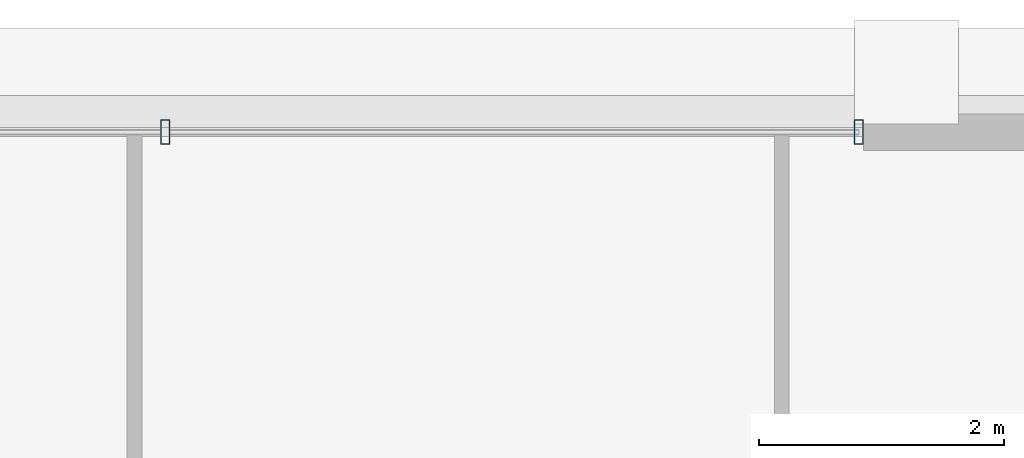
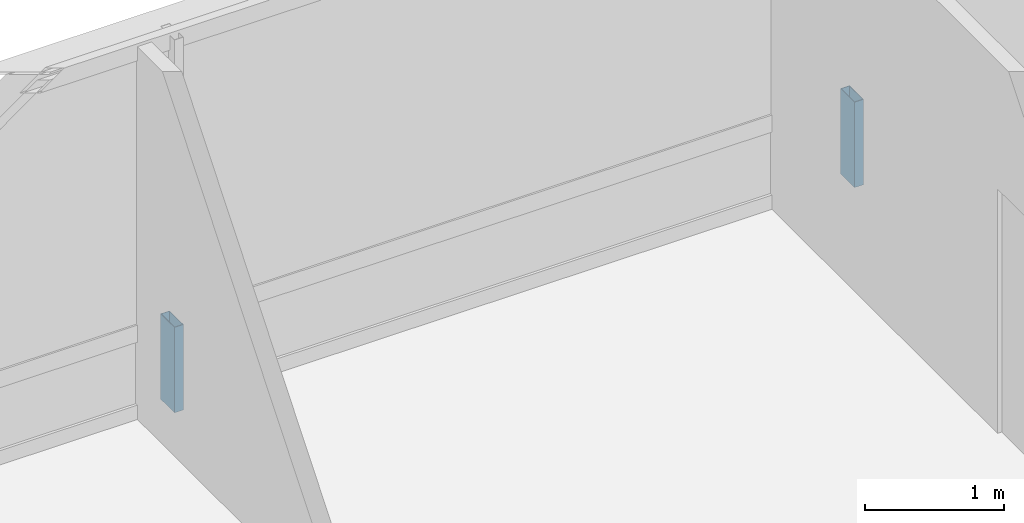
# One storey, part 28 of 35: 2 members, 1 element without a shape of its own.
"""IFC4 building model written with IfcOpenShell, lengths in metres."""

import ifcopenshell
import ifcopenshell.guid

model = None  # the IFC model being written
_history = None  # IfcOwnerHistory: only IFC2X3 demands one
_inside = {}  # id of a spatial element -> (the spatial element, [elements in it])
_under = {}  # id of a project, library or spatial element -> (it, [spatial elements below it])
_declared = {}  # id of a project -> (the project, [libraries it declares])
_typed = {}  # id of a type object -> (the type object, [elements of that type])
_made_of = {}  # id of a material, layer set ... -> (it, [elements and type objects made of it])


def new_model(schema):
    """Start an empty IFC model of exactly this schema.

    Asked for "IFC4X3", IfcOpenShell would pick the latest addendum, in which some entities
    have other attributes; the version numbers below select the first issue.
    IFC2X3 requires an IfcOwnerHistory on every rooted entity: one is made here for all.
    """
    global model, _history
    if schema == "IFC4X3":
        model = ifcopenshell.file(schema_version=(4, 3, 0, 0))
    else:
        model = ifcopenshell.file(schema=schema)
    _inside.clear()
    _under.clear()
    _declared.clear()
    _typed.clear()
    _made_of.clear()
    _history = None
    if model.schema == "IFC2X3":
        org = make("IfcOrganization", Name="unknown")
        user = make(
            "IfcPersonAndOrganization",
            ThePerson=make("IfcPerson", FamilyName="unknown"),
            TheOrganization=org,
        )
        app = make(
            "IfcApplication",
            ApplicationDeveloper=org,
            Version="unknown",
            ApplicationFullName="unknown",
            ApplicationIdentifier="unknown",
        )
        _history = make(
            "IfcOwnerHistory",
            OwningUser=user,
            OwningApplication=app,
            ChangeAction="ADDED",
            CreationDate=0,
        )
    return model


def make(cls, **values):
    """One entity of the class cls with the attributes given. An attribute that is None is left unset."""
    return model.create_entity(
        cls, **{name: value for name, value in values.items() if value is not None}
    )


def rooted(cls, **values):
    """An entity with a GlobalId (a new one), such as an element, a storey or a relation."""
    return make(cls, GlobalId=ifcopenshell.guid.new(), OwnerHistory=_history, **values)


def si_unit(unit_type, name, prefix=None):
    """IfcSIUnit, for example si_unit("LENGTHUNIT", "METRE", prefix="MILLI")."""
    return make("IfcSIUnit", UnitType=unit_type, Prefix=prefix, Name=name)


def assignment(units):
    """IfcUnitAssignment: the units of a project."""
    return None if units is None else make("IfcUnitAssignment", Units=units)


def point(xyz):
    """IfcCartesianPoint."""
    return None if xyz is None else make("IfcCartesianPoint", Coordinates=xyz)


def direction(xyz):
    """IfcDirection."""
    return None if xyz is None else make("IfcDirection", DirectionRatios=xyz)


def frame(location, z_axis=None, x_axis=None):
    """IfcAxis2Placement3D, a coordinate frame: its origin and axes. An axis left out is left unset."""
    return make(
        "IfcAxis2Placement3D",
        Location=point(location),
        Axis=direction(z_axis),
        RefDirection=direction(x_axis),
    )


def frame_2d(location, x_axis=None):
    """IfcAxis2Placement2D, a coordinate frame in the plane: its origin and x axis."""
    return make(
        "IfcAxis2Placement2D", Location=point(location), RefDirection=direction(x_axis)
    )


def origin():
    """The frame at (0, 0, 0) with its axes left unset."""
    return frame((0.0, 0.0, 0.0))


def origin_2d():
    """The frame at (0, 0) in the plane with its x axis left unset."""
    return frame_2d((0.0, 0.0))


def place(relative_to, where):
    """IfcLocalPlacement: puts the frame where relative to a parent placement (None: the world)."""
    return make(
        "IfcLocalPlacement", PlacementRelTo=relative_to, RelativePlacement=where
    )


def context(
    kind, dimensions, precision=None, world=None, true_north=None, identifier=None
):
    """IfcGeometricRepresentationContext, for example the 3D "Model" context."""
    return make(
        "IfcGeometricRepresentationContext",
        ContextIdentifier=identifier,
        ContextType=kind,
        CoordinateSpaceDimension=dimensions,
        Precision=precision,
        WorldCoordinateSystem=world,
        TrueNorth=true_north,
    )


def subcontext(parent, identifier, kind, view, scale=None):
    """IfcGeometricRepresentationSubContext, for example "Body" below "Model"."""
    return make(
        "IfcGeometricRepresentationSubContext",
        ContextIdentifier=identifier,
        ContextType=kind,
        ParentContext=parent,
        TargetScale=scale,
        TargetView=view,
    )


def project(units=None, contexts=None):
    """IfcProject with its units and contexts."""
    return rooted(
        "IfcProject",
        Name="project",
        RepresentationContexts=contexts,
        UnitsInContext=assignment(units),
    )


def spatial(cls, under=None, at=None, **own):
    """A site, building, storey or space (cls), placed at a placement, below another one or the project."""
    s = rooted(cls, ObjectPlacement=at, **own)
    if under is not None:
        _under.setdefault(under.id(), (under, []))[1].append(s)
    return s


def profile(cls, at=None, kind="AREA", **sizes):
    """A parametric profile (cls). Its sizes go by their IFC names, for example OverallWidth=200.0."""
    return make(cls, ProfileType=kind, Position=at, **sizes)


def hollow_rectangle(**sizes):
    """IfcRectangleHollowProfileDef."""
    return profile("IfcRectangleHollowProfileDef", **sizes)


def extrude(swept, where, along, depth):
    """IfcExtrudedAreaSolid: the profile swept, set in the frame where, extruded along a direction by depth."""
    return make(
        "IfcExtrudedAreaSolid",
        SweptArea=swept,
        Position=where,
        ExtrudedDirection=direction(along),
        Depth=depth,
    )


def shape(context_of_items, identifier, shape_type, items):
    """IfcShapeRepresentation: the items that make up one representation, for example the "Body"."""
    return make(
        "IfcShapeRepresentation",
        ContextOfItems=context_of_items,
        RepresentationIdentifier=identifier,
        RepresentationType=shape_type,
        Items=items,
    )


def source(mapping_origin, context_of_items, identifier, shape_type, items):
    """IfcRepresentationMap: a shape defined once, which mapped items show again and again."""
    return make(
        "IfcRepresentationMap",
        MappingOrigin=mapping_origin,
        MappedRepresentation=shape(context_of_items, identifier, shape_type, items),
    )


def transform(
    local_origin,
    x_axis=None,
    y_axis=None,
    z_axis=None,
    scale=None,
    scale2=None,
    scale3=None,
    uniform=True,
):
    """IfcCartesianTransformationOperator3D, or its non-uniform kind. x_axis, y_axis, z_axis: its Axis1, 2, 3."""
    if uniform:
        return make(
            "IfcCartesianTransformationOperator3D",
            Axis1=direction(x_axis),
            Axis2=direction(y_axis),
            LocalOrigin=point(local_origin),
            Scale=scale,
            Axis3=direction(z_axis),
        )
    return make(
        "IfcCartesianTransformationOperator3DnonUniform",
        Axis1=direction(x_axis),
        Axis2=direction(y_axis),
        LocalOrigin=point(local_origin),
        Scale=scale,
        Axis3=direction(z_axis),
        Scale2=scale2,
        Scale3=scale3,
    )


def mapped(mapping_source, mapping_target):
    """IfcMappedItem: shows the shape of a source again, moved by a transform."""
    return make(
        "IfcMappedItem", MappingSource=mapping_source, MappingTarget=mapping_target
    )


def material(Name=None, Category=None):
    """IfcMaterial."""
    return make("IfcMaterial", Name=Name, Category=Category)


def layer(
    of_material, thickness, ventilated=None, Name=None, Category=None, Priority=None
):
    """IfcMaterialLayer: one layer of a wall or slab, of a material (None: an air gap)."""
    return make(
        "IfcMaterialLayer",
        Material=of_material,
        LayerThickness=thickness,
        IsVentilated=ventilated,
        Name=Name,
        Category=Category,
        Priority=Priority,
    )


def layer_set(layers, Name=None):
    """IfcMaterialLayerSet."""
    return make("IfcMaterialLayerSet", MaterialLayers=layers, LayerSetName=Name)


def material_profile(
    of_material, cross_section, Name=None, Category=None, Priority=None
):
    """IfcMaterialProfile: a cross section and its material."""
    return make(
        "IfcMaterialProfile",
        Name=Name,
        Material=of_material,
        Profile=cross_section,
        Priority=Priority,
        Category=Category,
    )


def profile_set(profiles, Name=None, composite=None):
    """IfcMaterialProfileSet."""
    return make(
        "IfcMaterialProfileSet",
        Name=Name,
        MaterialProfiles=profiles,
        CompositeProfile=composite,
    )


def made_of(thing, what):
    """Note that an element or type object is made of a material, layer set ...; save() writes the relation."""
    if what is not None:
        _made_of.setdefault(what.id(), (what, []))[1].append(thing)
    return thing


def type_object(cls, material=None, **own):
    """A type object (cls), such as IfcWallType, which elements share."""
    return made_of(rooted(cls, **own), material)


def element(
    cls,
    number,
    at=None,
    inside=None,
    cuts=None,
    type_object=None,
    material=None,
    context=None,
    identifier="Body",
    shape_type=None,
    held_by="IfcProductDefinitionShape",
    body=None,
    shapes=None,
    **own,
):
    """One element of the class cls, such as IfcWall. Its Tag is "e" and its number.

    at: its placement. inside: the storey or other place that contains it. cuts: it is an
    opening in that element (IfcRelVoidsElement). A single representation is given by context,
    identifier, shape_type and body (its items); several are given by shapes. held_by: the class
    of the entity that holds the representations. save() writes the other relations.
    """
    e = rooted(cls, Tag="e%d" % number, ObjectPlacement=at, **own)
    if body is not None:
        shapes = [shape(context, identifier, shape_type, body)]
    if shapes is not None:
        e.Representation = make(held_by, Representations=shapes)
    if inside is not None:
        _inside.setdefault(inside.id(), (inside, []))[1].append(e)
    if cuts is not None:
        rooted(
            "IfcRelVoidsElement", RelatingBuildingElement=cuts, RelatedOpeningElement=e
        )
    if type_object is not None:
        _typed.setdefault(type_object.id(), (type_object, []))[1].append(e)
    return made_of(e, material)


def aggregate(whole, parts):
    """IfcRelAggregates: a whole, such as a stair, and the parts it consists of."""
    return rooted("IfcRelAggregates", RelatingObject=whole, RelatedObjects=parts)


def save(model, path):
    """Write the relations noted so far, then the file.

    IfcRelAggregates (storeys below a building ...), IfcRelContainedInSpatialStructure (elements
    in a storey), IfcRelDefinesByType, IfcRelAssociatesMaterial and IfcRelDeclares: one each for
    every whole, place, type object, material and project.
    """
    for whole, parts in _under.values():
        aggregate(whole, parts)
    for where, things in _inside.values():
        rooted(
            "IfcRelContainedInSpatialStructure",
            RelatedElements=things,
            RelatingStructure=where,
        )
    for kind, things in _typed.values():
        rooted("IfcRelDefinesByType", RelatedObjects=things, RelatingType=kind)
    for what, things in _made_of.values():
        rooted("IfcRelAssociatesMaterial", RelatedObjects=things, RelatingMaterial=what)
    for by, libraries in _declared.values():
        rooted("IfcRelDeclares", RelatingContext=by, RelatedDefinitions=libraries)
    model.write(path)


model = new_model("IFC4")

# Units and contexts
model_context = context("Model", 3, precision=1e-05, world=origin(), true_north=direction((0.0, 1.0)))
body_context = subcontext(model_context, "Body", "Model", "MODEL_VIEW")
ifc_project = project(units=[si_unit("LENGTHUNIT", "METRE"), si_unit("AREAUNIT", "SQUARE_METRE"), si_unit("VOLUMEUNIT", "CUBIC_METRE"), si_unit("PLANEANGLEUNIT", "RADIAN"), si_unit("MASSUNIT", "GRAM", prefix="KILO"), si_unit("THERMODYNAMICTEMPERATUREUNIT", "KELVIN"), si_unit("POWERUNIT", "WATT")], contexts=[model_context])

# Site, building, storey
site_placement = place(None, origin())
site = spatial("IfcSite", under=ifc_project, at=site_placement, CompositionType="ELEMENT")
building_placement = place(site_placement, origin())
building = spatial("IfcBuilding", under=site, at=building_placement, Name="Yuzanri Waterfront Tower", CompositionType="ELEMENT")
storey_placement = place(building_placement, frame((0.0, 0.0, 318.199951171875)))
storey = spatial("IfcBuildingStorey", under=building, at=storey_placement, Name="L85", CompositionType="ELEMENT", Elevation=318.199951171875)

# Curtain wall, members
ifc_material_1 = material(Name="Anodized Architectural Bronze", Category="metal")
ifc_layer = layer(ifc_material_1, 0.159912109375)
ifc_layer_set = layer_set([ifc_layer], Name="Anodized Architectural Bronze")
curtain_wall_type = type_object("IfcCurtainWallType", Name="Anodized Bronze High-Rise Penthouse High-Wind Unitized Curtain Wall 6900", PredefinedType="NOTDEFINED", material=ifc_layer_set)
curtain_wall_placement = place(storey_placement, origin())
curtain_wall = element("IfcCurtainWall", 1, at=curtain_wall_placement, inside=storey, type_object=curtain_wall_type, Name="L85 Curtain Wall CW-L85-NR", PredefinedType="NOTDEFINED")
ifc_material_2 = material(Name="Anodized Architectural Bronze", Category="metal")
ifc_material_profile = material_profile(ifc_material_2, hollow_rectangle(XDim=0.074951171875, YDim=0.199951171875, WallThickness=0.00390625, at=origin_2d()), Name="CWM 75x200")
ifc_profile_set = profile_set([ifc_material_profile], Name="Anodized Architectural Bronze")
member_type = type_object("IfcMemberType", Name="Anodized Bronze Primary Curtain-Wall Mullion 75x200", PredefinedType="MULLION", material=ifc_profile_set)
shared_shape = source(origin(), body_context, "Body", "SweptSolid", [
    extrude(hollow_rectangle(XDim=0.074951171875, YDim=0.199951171875, WallThickness=0.00390625, at=origin_2d()), origin(), (0.0, 0.0, 1.0), 0.751953125),
])
member_1_placement = place(storey_placement, frame((43.050048828125, 44.75, 0.0), z_axis=(0.0, 0.0, 1.0), x_axis=(1.0, 0.0, 0.0)))
member_1 = element("IfcMember", 2, at=member_1_placement, type_object=member_type, Name="CW-L85-NR Lower Mullion 01", PredefinedType="MULLION", context=body_context, shape_type="MappedRepresentation", body=[
    mapped(shared_shape, transform((0.0, 0.0, 0.0), scale=1.0)),
])
member_2_placement = place(storey_placement, frame((48.7099609375, 44.75, 0.0), z_axis=(0.0, 0.0, 1.0), x_axis=(1.0, 0.0, 0.0)))
member_2 = element("IfcMember", 3, at=member_2_placement, type_object=member_type, Name="CW-L85-NR Lower Mullion 02", PredefinedType="MULLION", context=body_context, shape_type="MappedRepresentation", body=[
    mapped(shared_shape, transform((0.0, 0.0, 0.0), scale=1.0)),
])
aggregate(curtain_wall, [member_1, member_2])

save(model, "model.ifc")
